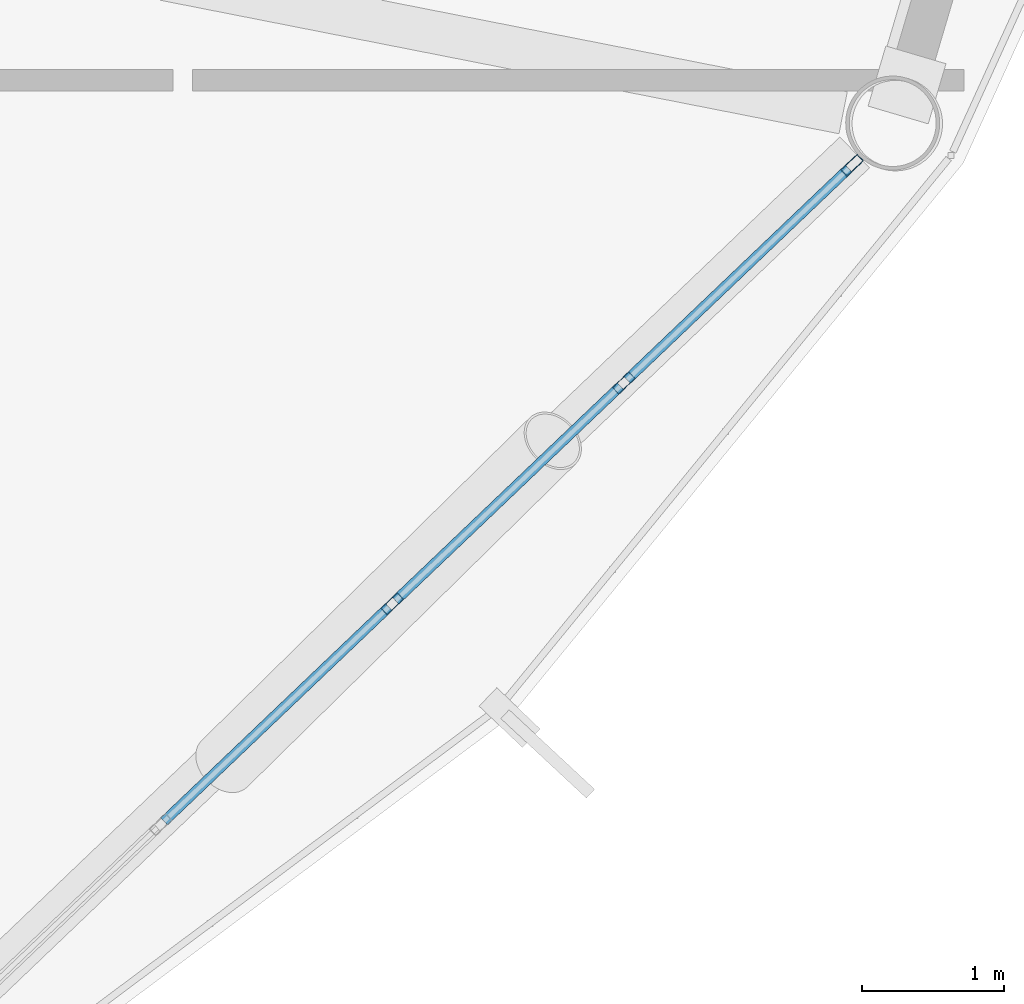
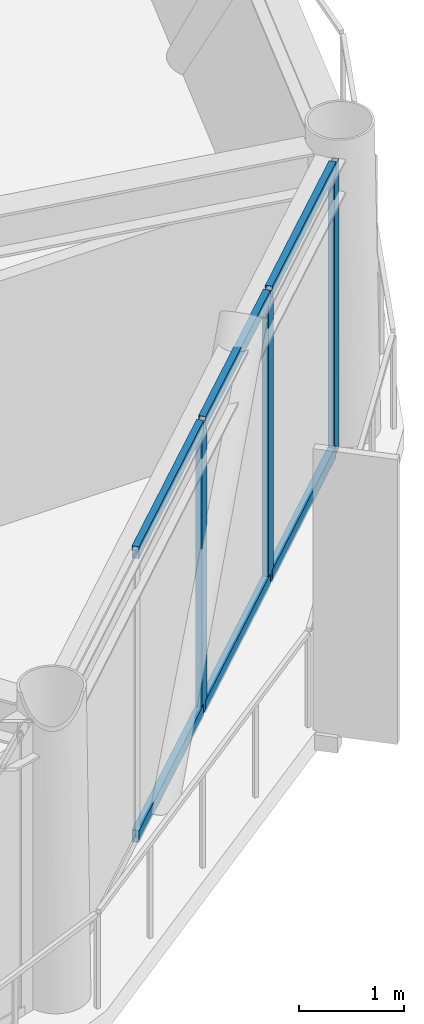
# One storey, part 15 of 28: 9 members, 1 element without a shape of its own.
"""IFC4 building model written with IfcOpenShell, lengths in metres."""

from ifc_helpers import new_model, si_unit, direction, frame, origin, origin_2d, place, context, subcontext, project, spatial, hollow_rectangle, extrude, material, layer, layer_set, material_profile, profile_set, type_object, element, aggregate, save


model = new_model("IFC4")

# Units and contexts
model_context = context("Model", 3, precision=1e-05, world=origin(), true_north=direction((0.0, 1.0)))
body_context = subcontext(model_context, "Body", "Model", "MODEL_VIEW")
ifc_project = project(units=[si_unit("LENGTHUNIT", "METRE"), si_unit("AREAUNIT", "SQUARE_METRE"), si_unit("VOLUMEUNIT", "CUBIC_METRE"), si_unit("PLANEANGLEUNIT", "RADIAN"), si_unit("MASSUNIT", "GRAM", prefix="KILO")], contexts=[model_context])

# Site, building, storey
site_placement = place(None, origin())
site = spatial("IfcSite", under=ifc_project, at=site_placement, CompositionType="ELEMENT")
building_placement = place(site_placement, origin())
building = spatial("IfcBuilding", under=site, at=building_placement, Name="Varnakorn Sky Granary", CompositionType="ELEMENT")
storey_placement = place(building_placement, frame((0.0, 0.0, 196.800048828125)))
storey = spatial("IfcBuildingStorey", under=building, at=storey_placement, Name="L49", CompositionType="ELEMENT", Elevation=196.800048828125)

# Curtain wall, members
ifc_material = material(Name="Anodised Bronze Aluminium Alloy 6063-T6", Category="aluminium")
ifc_layer = layer(ifc_material, 0.169921875, Name="Anodised Bronze Aluminium Alloy 6063-T6")
ifc_layer_set = layer_set([ifc_layer], Name="Anodised Bronze Aluminium Alloy 6063-T6")
curtain_wall_type = type_object("IfcCurtainWallType", Name="CW-LAB-1", PredefinedType="USERDEFINED", material=ifc_layer_set)
curtain_wall_placement = place(storey_placement, origin())
curtain_wall = element("IfcCurtainWall", 1, at=curtain_wall_placement, inside=storey, type_object=curtain_wall_type, Name="Unitised Curtain Wall CW5 CW-L49-B11", ObjectType="CURTAIN WALL", PredefinedType="USERDEFINED")
ifc_material_profile_1 = material_profile(ifc_material, hollow_rectangle(XDim=0.06494140625, YDim=0.159912109375, WallThickness=0.00341796875, at=origin_2d()), Name="ALU MULL 65x160")
ifc_profile_set_1 = profile_set([ifc_material_profile_1], Name="Anodised Bronze Aluminium Alloy 6063-T6")
member_type_1 = type_object("IfcMemberType", Name="CW-LAB-1-MULL", PredefinedType="MULLION", material=ifc_profile_set_1)
member_1_placement = place(storey_placement, frame((21.266357421875, -9.49755859375, 0.0), z_axis=(0.0, 0.0, 1.0), x_axis=(0.690097158605, -0.723716734424, 0.0)))
member_1 = element("IfcMember", 2, at=member_1_placement, type_object=member_type_1, Name="CW5 mullion 1", PredefinedType="MULLION", context=body_context, shape_type="SweptSolid", body=[
    extrude(hollow_rectangle(XDim=0.06494140625, YDim=0.159912109375, WallThickness=0.00341796875, at=origin_2d()), origin(), (0.0, 0.0, 1.0), 3.35986328125),
])
member_2_placement = place(storey_placement, frame((19.6640625, -11.025390625, 0.0), z_axis=(0.0, 0.0, 1.0), x_axis=(0.690097158605, -0.723716734424, 0.0)))
member_2 = element("IfcMember", 3, at=member_2_placement, type_object=member_type_1, Name="CW5 mullion 2", PredefinedType="MULLION", context=body_context, shape_type="SweptSolid", body=[
    extrude(hollow_rectangle(XDim=0.06494140625, YDim=0.159912109375, WallThickness=0.00341796875, at=origin_2d()), origin(), (0.0, 0.0, 1.0), 3.35986328125),
])
member_3_placement = place(storey_placement, frame((18.038330078125, -12.57568359375, 0.0), z_axis=(0.0, 0.0, 1.0), x_axis=(0.690097158605, -0.723716734424, 0.0)))
member_3 = element("IfcMember", 4, at=member_3_placement, type_object=member_type_1, Name="CW5 mullion 3", PredefinedType="MULLION", context=body_context, shape_type="SweptSolid", body=[
    extrude(hollow_rectangle(XDim=0.06494140625, YDim=0.159912109375, WallThickness=0.00341796875, at=origin_2d()), origin(), (0.0, 0.0, 1.0), 3.35986328125),
])
ifc_material_profile_2 = material_profile(ifc_material, hollow_rectangle(XDim=0.070068359375, YDim=0.139892578125, WallThickness=0.00341796875, at=origin_2d()), Name="ALU TRAN 70x140")
ifc_profile_set_2 = profile_set([ifc_material_profile_2], Name="Anodised Bronze Aluminium Alloy 6063-T6")
member_type_2 = type_object("IfcMemberType", Name="CW-LAB-1-TRAN", PredefinedType="USERDEFINED", material=ifc_profile_set_2)
member_4_placement = place(storey_placement, frame((21.242919921875, -9.52001953125, 0.034912109375), z_axis=(-0.72377580902, -0.690035200752, 0.0), x_axis=(0.690035200752, -0.72377580902, 0.0)))
member_4 = element("IfcMember", 5, at=member_4_placement, type_object=member_type_2, Name="CW5 transom 1.1", ObjectType="TRANSOM", PredefinedType="USERDEFINED", context=body_context, shape_type="SweptSolid", body=[
    extrude(hollow_rectangle(XDim=0.070068359375, YDim=0.139892578125, WallThickness=0.00341796875, at=origin_2d()), origin(), (0.0, 0.0, 1.0), 2.14892578125),
])
member_5_placement = place(storey_placement, frame((21.242919921875, -9.52001953125, 3.324951171875), z_axis=(-0.72377580902, -0.690035200752, 0.0), x_axis=(0.690035200752, -0.72377580902, 0.0)))
member_5 = element("IfcMember", 6, at=member_5_placement, type_object=member_type_2, Name="CW5 transom 1.2", ObjectType="TRANSOM", PredefinedType="USERDEFINED", context=body_context, shape_type="SweptSolid", body=[
    extrude(hollow_rectangle(XDim=0.070068359375, YDim=0.139892578125, WallThickness=0.00341796875, at=origin_2d()), origin(), (0.0, 0.0, 1.0), 2.14892578125),
])
member_6_placement = place(storey_placement, frame((19.640625, -11.0478515625, 0.034912109375), z_axis=(-0.723749243544, -0.690063064125, 0.0), x_axis=(0.690063064125, -0.723749243544, 0.0)))
member_6 = element("IfcMember", 7, at=member_6_placement, type_object=member_type_2, Name="CW5 transom 2.1", ObjectType="TRANSOM", PredefinedType="USERDEFINED", context=body_context, shape_type="SweptSolid", body=[
    extrude(hollow_rectangle(XDim=0.070068359375, YDim=0.139892578125, WallThickness=0.00341796875, at=origin_2d()), origin(), (0.0, 0.0, 1.0), 2.181396484375),
])
member_7_placement = place(storey_placement, frame((19.640625, -11.0478515625, 3.324951171875), z_axis=(-0.723749243544, -0.690063064125, 0.0), x_axis=(0.690063064125, -0.723749243544, 0.0)))
member_7 = element("IfcMember", 8, at=member_7_placement, type_object=member_type_2, Name="CW5 transom 2.2", ObjectType="TRANSOM", PredefinedType="USERDEFINED", context=body_context, shape_type="SweptSolid", body=[
    extrude(hollow_rectangle(XDim=0.070068359375, YDim=0.139892578125, WallThickness=0.00341796875, at=origin_2d()), origin(), (0.0, 0.0, 1.0), 2.181396484375),
])
member_8_placement = place(storey_placement, frame((18.014892578125, -12.59814453125, 0.034912109375), z_axis=(-0.723749243544, -0.690063064125, 0.0), x_axis=(0.690063064125, -0.723749243544, 0.0)))
member_8 = element("IfcMember", 9, at=member_8_placement, type_object=member_type_2, Name="CW5 transom 3.1", ObjectType="TRANSOM", PredefinedType="USERDEFINED", context=body_context, shape_type="SweptSolid", body=[
    extrude(hollow_rectangle(XDim=0.070068359375, YDim=0.139892578125, WallThickness=0.00341796875, at=origin_2d()), origin(), (0.0, 0.0, 1.0), 2.181396484375),
])
member_9_placement = place(storey_placement, frame((18.014892578125, -12.59814453125, 3.324951171875), z_axis=(-0.723749243544, -0.690063064125, 0.0), x_axis=(0.690063064125, -0.723749243544, 0.0)))
member_9 = element("IfcMember", 10, at=member_9_placement, type_object=member_type_2, Name="CW5 transom 3.2", ObjectType="TRANSOM", PredefinedType="USERDEFINED", context=body_context, shape_type="SweptSolid", body=[
    extrude(hollow_rectangle(XDim=0.070068359375, YDim=0.139892578125, WallThickness=0.00341796875, at=origin_2d()), origin(), (0.0, 0.0, 1.0), 2.181396484375),
])
aggregate(curtain_wall, [member_1, member_2, member_3, member_4, member_5, member_6, member_7, member_8, member_9])

save(model, "model.ifc")
